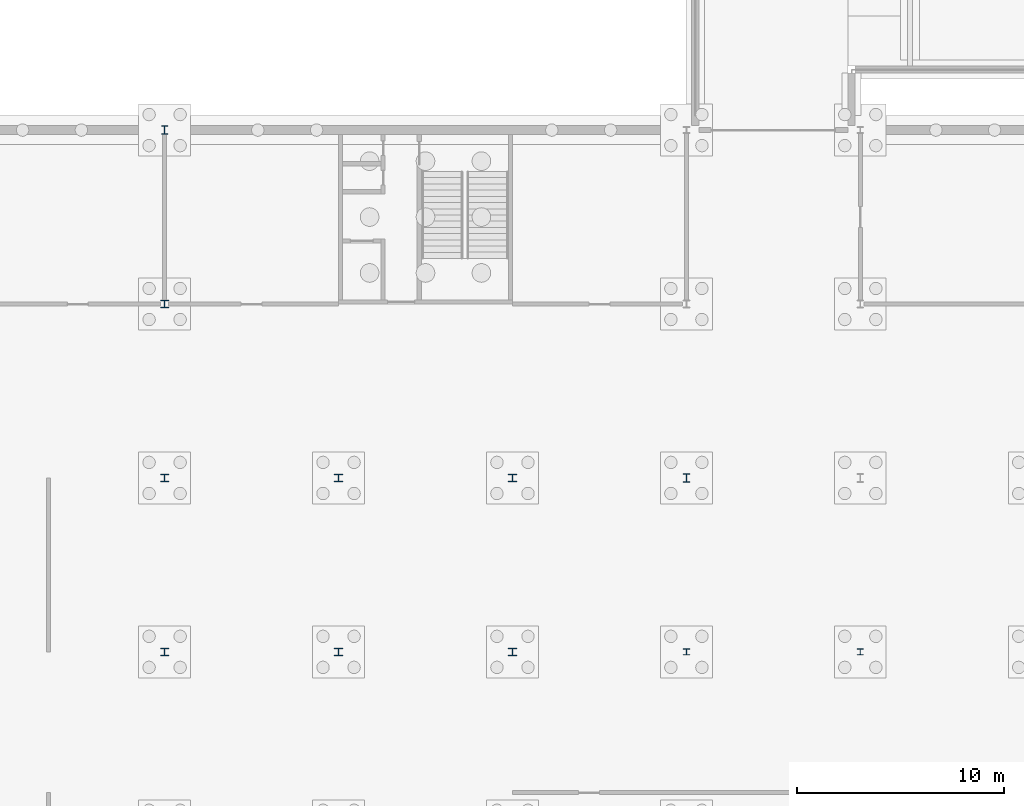
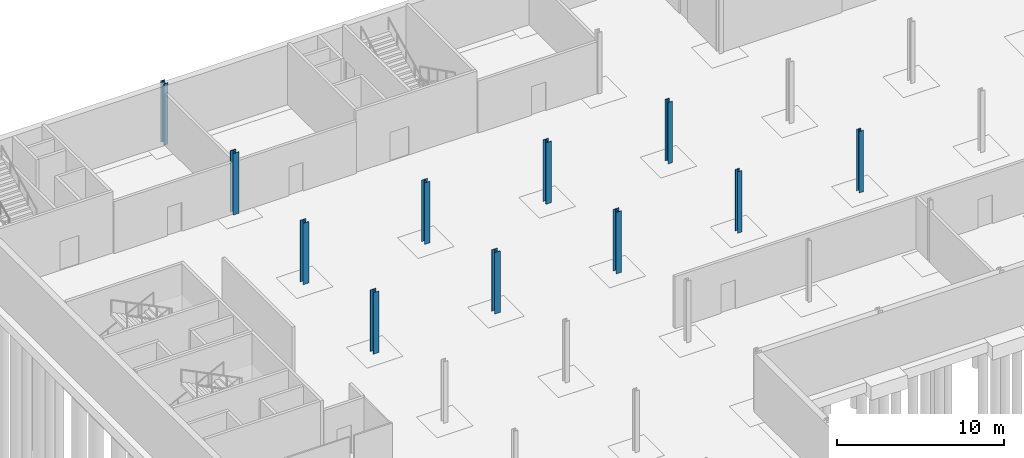
# One storey, part 11 of 35: 11 columns.
"""IFC4 building model written with IfcOpenShell, lengths in metres."""

from ifc_helpers import new_model, si_unit, direction, frame, origin, origin_2d, place, context, subcontext, project, spatial, i_section, extrude, material, material_profile, profile_set, type_object, element, save


model = new_model("IFC4")

# Units and contexts
model_context = context("Model", 3, precision=1e-05, world=origin(), true_north=direction((0.0, 1.0)))
body_context = subcontext(model_context, "Body", "Model", "MODEL_VIEW")
ifc_project = project(units=[si_unit("LENGTHUNIT", "METRE"), si_unit("AREAUNIT", "SQUARE_METRE"), si_unit("VOLUMEUNIT", "CUBIC_METRE"), si_unit("PLANEANGLEUNIT", "RADIAN"), si_unit("MASSUNIT", "GRAM", prefix="KILO")], contexts=[model_context])

# Site, building, storey
site_placement = place(None, origin())
site = spatial("IfcSite", under=ifc_project, at=site_placement, CompositionType="ELEMENT")
building_placement = place(site_placement, origin())
building = spatial("IfcBuilding", under=site, at=building_placement, Name="Ardhachandra Cancer Care Centre", CompositionType="ELEMENT")
storey_placement = place(building_placement, frame((0.0, 0.0, -4.5)))
storey = spatial("IfcBuildingStorey", under=building, at=storey_placement, Name="B1", CompositionType="ELEMENT", Elevation=-4.5)

# Columns
ifc_material_1 = material(Name="Steel E350 (IS 2062)", Category="steel")
ifc_material_profile_1 = material_profile(ifc_material_1, i_section(OverallWidth=0.300048828125, OverallDepth=0.300048828125, WebThickness=0.010986328125, FlangeThickness=0.01904296875, FilletRadius=0.027099609375, at=origin_2d()), Name="WPB 300x300x117.03")
ifc_profile_set_1 = profile_set([ifc_material_profile_1], Name="Steel E350 (IS 2062)")
column_type_1 = type_object("IfcColumnType", Name="Column WPB 300x300x117.03", PredefinedType="COLUMN", material=ifc_profile_set_1)
for number, where, z_axis, x_axis, name in (
    (1, (52.800048828125, 71.39990234375, 0.0), (0.0, 0.0, 1.0), (1.0, 0.0, 0.0), "Column H6 B1"),
    (2, (61.199951171875, 71.39990234375, 0.0), (0.0, 0.0, 1.0), (1.0, 0.0, 0.0), "Column H7 B1"),
):
    element("IfcColumn", number, at=place(storey_placement, frame(where, z_axis=z_axis, x_axis=x_axis)), inside=storey, type_object=column_type_1, Name=name, PredefinedType="COLUMN", context=body_context, shape_type="SweptSolid", body=[
        extrude(i_section(OverallWidth=0.300048828125, OverallDepth=0.300048828125, WebThickness=0.010986328125, FlangeThickness=0.01904296875, FilletRadius=0.027099609375, at=origin_2d()), origin(), (0.0, 0.0, 1.0), 4.5),
    ])
ifc_material_2 = material(Name="Steel E350 (IS 2062)", Category="steel")
ifc_material_profile_2 = material_profile(ifc_material_2, i_section(OverallWidth=0.300048828125, OverallDepth=0.39990234375, WebThickness=0.013427734375, FlangeThickness=0.02392578125, FilletRadius=0.027099609375, at=origin_2d()), Name="WPB 400x300x155.26")
ifc_profile_set_2 = profile_set([ifc_material_profile_2], Name="Steel E350 (IS 2062)")
column_type_2 = type_object("IfcColumnType", Name="Column WPB 400x300x155.26", PredefinedType="COLUMN", material=ifc_profile_set_2)
for number, where, z_axis, x_axis, name in (
    (3, (52.800048828125, 79.800048828125, 0.0), (0.0, 0.0, 1.0), (1.0, 0.0, 0.0), "Column J6 B1"),
    (4, (27.60009765625, 96.60009765625, 0.0), (0.0, 0.0, 1.0), (1.0, 0.0, 0.0), "Column L3 B1"),
):
    element("IfcColumn", number, at=place(storey_placement, frame(where, z_axis=z_axis, x_axis=x_axis)), inside=storey, type_object=column_type_2, Name=name, PredefinedType="COLUMN", context=body_context, shape_type="SweptSolid", body=[
        extrude(i_section(OverallWidth=0.300048828125, OverallDepth=0.39990234375, WebThickness=0.013427734375, FlangeThickness=0.02392578125, FilletRadius=0.027099609375, at=origin_2d()), origin(), (0.0, 0.0, 1.0), 4.5),
    ])
ifc_material_3 = material(Name="Steel E350 (IS 2062)", Category="steel")
ifc_material_profile_3 = material_profile(ifc_material_3, i_section(OverallWidth=0.39111328125, OverallDepth=0.367919921875, WebThickness=0.014892578125, FlangeThickness=0.024169921875, FilletRadius=0.027099609375, at=origin_2d()), Name="WPB 400x400x191.10")
ifc_profile_set_3 = profile_set([ifc_material_profile_3], Name="Steel E350 (IS 2062)")
column_type_3 = type_object("IfcColumnType", Name="Column WPB 400x400x191.10", PredefinedType="COLUMN", material=ifc_profile_set_3)
for number, where, z_axis, x_axis, name in (
    (5, (27.60009765625, 71.39990234375, 0.0), (0.0, 0.0, 1.0), (1.0, 0.0, 0.0), "Column H3 B1"),
    (6, (36.0, 71.39990234375, 0.0), (0.0, 0.0, 1.0), (1.0, 0.0, 0.0), "Column H4 B1"),
    (7, (44.39990234375, 71.39990234375, 0.0), (0.0, 0.0, 1.0), (1.0, 0.0, 0.0), "Column H5 B1"),
    (8, (27.60009765625, 79.800048828125, 0.0), (0.0, 0.0, 1.0), (1.0, 0.0, 0.0), "Column J3 B1"),
    (9, (36.0, 79.800048828125, 0.0), (0.0, 0.0, 1.0), (1.0, 0.0, 0.0), "Column J4 B1"),
    (10, (44.39990234375, 79.800048828125, 0.0), (0.0, 0.0, 1.0), (1.0, 0.0, 0.0), "Column J5 B1"),
    (11, (27.60009765625, 88.199951171875, 0.0), (0.0, 0.0, 1.0), (1.0, 0.0, 0.0), "Column K3 B1"),
):
    element("IfcColumn", number, at=place(storey_placement, frame(where, z_axis=z_axis, x_axis=x_axis)), inside=storey, type_object=column_type_3, Name=name, PredefinedType="COLUMN", context=body_context, shape_type="SweptSolid", body=[
        extrude(i_section(OverallWidth=0.39111328125, OverallDepth=0.367919921875, WebThickness=0.014892578125, FlangeThickness=0.024169921875, FilletRadius=0.027099609375, at=origin_2d()), origin(), (0.0, 0.0, 1.0), 4.5),
    ])

save(model, "model.ifc")
